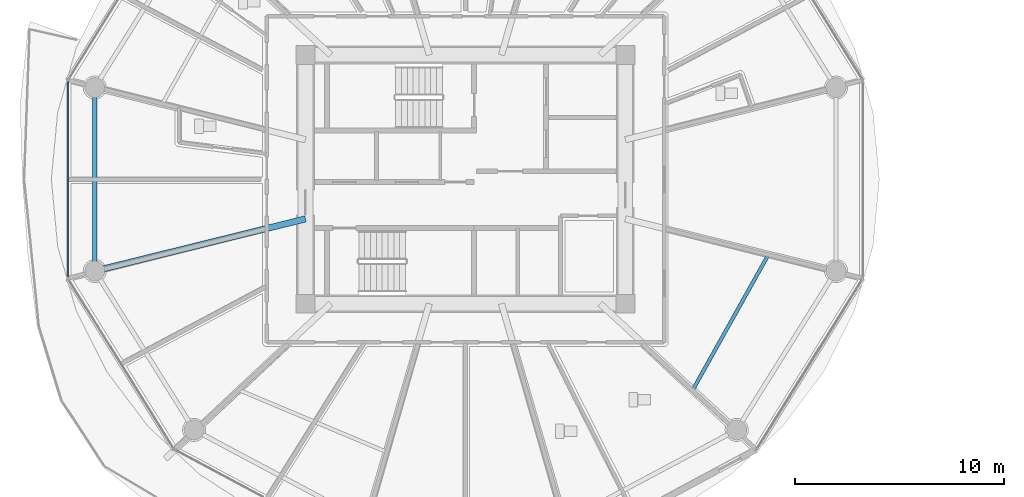
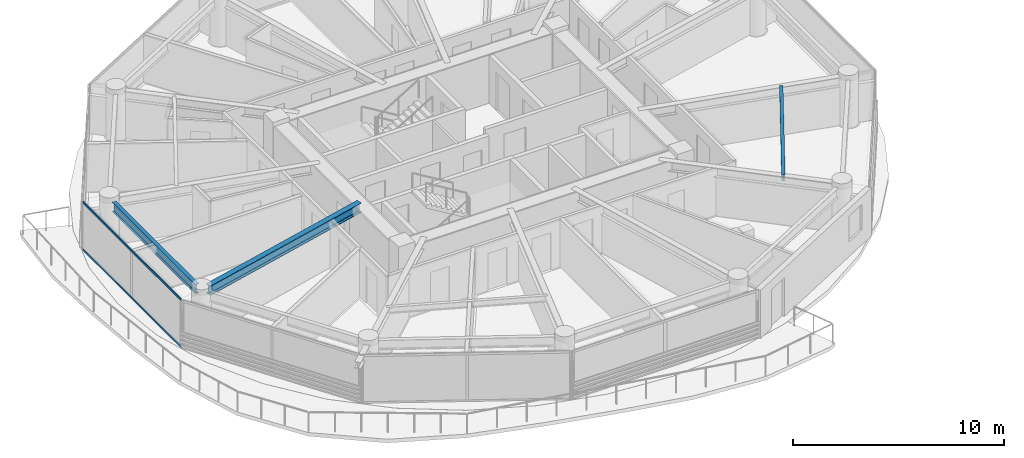
# One storey, part 3 of 31: 3 beams, 2 members, 1 element without a shape of its own.
"""IFC4 building model written with IfcOpenShell, lengths in metres."""

from ifc_helpers import new_model, si_unit, direction, frame, origin, origin_2d, place, context, subcontext, project, spatial, rectangle, i_section, extrude, source, transform, mapped, material, layer, layer_set, material_profile, profile_set, type_object, type_shapes, element, aggregate, save


model = new_model("IFC4")

# Units and contexts
model_context = context("Model", 3, precision=1e-05, world=origin(), true_north=direction((0.0, 1.0)))
body_context = subcontext(model_context, "Body", "Model", "MODEL_VIEW")
ifc_project = project(units=[si_unit("LENGTHUNIT", "METRE"), si_unit("AREAUNIT", "SQUARE_METRE"), si_unit("VOLUMEUNIT", "CUBIC_METRE"), si_unit("PLANEANGLEUNIT", "RADIAN"), si_unit("MASSUNIT", "GRAM", prefix="KILO")], contexts=[model_context])

# Site, building, storey
site_placement = place(None, origin())
site = spatial("IfcSite", under=ifc_project, at=site_placement, CompositionType="ELEMENT")
building_placement = place(site_placement, origin())
building = spatial("IfcBuilding", under=site, at=building_placement, Name="Norrkilde Senior Care Towers", CompositionType="ELEMENT")
storey_placement = place(building_placement, frame((0.0, 0.0, 42.949951171875)))
storey = spatial("IfcBuildingStorey", under=building, at=storey_placement, Name="L12", CompositionType="ELEMENT", Elevation=42.949951171875)

# Beams
ifc_material_1 = material(Name="Steel S355", Category="steel")
ifc_material_profile_1 = material_profile(ifc_material_1, i_section(OverallWidth=0.300048828125, OverallDepth=0.550048828125, WebThickness=0.014892578125, FlangeThickness=0.029052734375, FilletRadius=0.027099609375, at=origin_2d()), Name="HEB 550")
ifc_profile_set_1 = profile_set([ifc_material_profile_1], Name="Steel S355")
beam_type_1 = type_object("IfcBeamType", Name="Radial Floor Beam Z1 HEB550", PredefinedType="BEAM", material=ifc_profile_set_1)
shared_shape_1 = source(origin(), body_context, "Body", "SweptSolid", [
    extrude(i_section(OverallWidth=0.300048828125, OverallDepth=0.550048828125, WebThickness=0.014892578125, FlangeThickness=0.029052734375, FilletRadius=0.027099609375, at=origin_2d()), origin(), (0.0, 0.0, 1.0), 9.94384765625),
])
type_shapes(beam_type_1, [shared_shape_1])
beam_1_placement = place(storey_placement, frame((-35.64990234375, -1.893310546875, 2.51513671875), z_axis=(-0.970707425182, -0.240264634718, 0.0), x_axis=(0.240264634718, -0.970707425182, 0.0)))
element("IfcBeam", 1, at=beam_1_placement, inside=storey, type_object=beam_type_1, Name="L12 Drum W Radial Floor Beam 07", PredefinedType="BEAM", context=body_context, shape_type="MappedRepresentation", body=[
    mapped(shared_shape_1, transform((0.0, 0.0, 0.0), x_axis=(1.0, 0.0, 0.0), y_axis=(0.0, 1.0, 0.0), z_axis=(0.0, 0.0, 1.0), scale=1.0)),
])
ifc_material_profile_2 = material_profile(ifc_material_1, i_section(OverallWidth=0.2099609375, OverallDepth=0.550048828125, WebThickness=0.010986328125, FlangeThickness=0.01708984375, FilletRadius=0.02392578125, at=origin_2d()), Name="IPE 550")
ifc_profile_set_2 = profile_set([ifc_material_profile_2], Name="Steel S355")
beam_type_2 = type_object("IfcBeamType", Name="Perimeter Ring Spandrel Z1 IPE550", PredefinedType="SPANDREL", material=ifc_profile_set_2)
shared_shape_2 = source(origin(), body_context, "Body", "SweptSolid", [
    extrude(i_section(OverallWidth=0.2099609375, OverallDepth=0.550048828125, WebThickness=0.010986328125, FlangeThickness=0.01708984375, FilletRadius=0.02392578125, at=origin_2d()), origin(), (0.0, 0.0, 1.0), 7.90380859375),
])
type_shapes(beam_type_2, [shared_shape_2])
beam_2_placement = place(storey_placement, frame((-45.724853515625, 3.951904296875, 2.51513671875), z_axis=(0.0, -1.0, 0.0), x_axis=(1.0, 0.0, 0.0)))
element("IfcBeam", 2, at=beam_2_placement, inside=storey, type_object=beam_type_2, Name="L12 Drum W Perimeter Spandrel 06", PredefinedType="SPANDREL", context=body_context, shape_type="MappedRepresentation", body=[
    mapped(shared_shape_2, transform((0.0, 0.0, 0.0), x_axis=(1.0, 0.0, 0.0), y_axis=(0.0, 1.0, 0.0), z_axis=(0.0, 0.0, 1.0), scale=1.0)),
])
ifc_material_profile_3 = material_profile(ifc_material_1, i_section(OverallWidth=0.169921875, OverallDepth=0.360107421875, WebThickness=0.008056640625, FlangeThickness=0.0126953125, FilletRadius=0.01806640625, at=origin_2d()), Name="IPE 360")
ifc_profile_set_3 = profile_set([ifc_material_profile_3], Name="Steel S355")
beam_type_3 = type_object("IfcBeamType", Name="Secondary Floor Joist IPE360", PredefinedType="JOIST", material=ifc_profile_set_3)
shared_shape_3 = source(origin(), body_context, "Body", "SweptSolid", [
    extrude(i_section(OverallWidth=0.169921875, OverallDepth=0.360107421875, WebThickness=0.008056640625, FlangeThickness=0.0126953125, FilletRadius=0.01806640625, at=origin_2d()), origin(), (0.0, 0.0, 1.0), 7.40771484375),
])
type_shapes(beam_type_3, [shared_shape_3])
beam_3_placement = place(storey_placement, frame((-17.115478515625, -10.05419921875, 2.610107421875), z_axis=(0.488167754092, 0.872749817453, 0.0), x_axis=(-0.872749817453, 0.488167754092, 0.0)))
element("IfcBeam", 3, at=beam_3_placement, inside=storey, type_object=beam_type_3, Name="L12 Drum W Secondary Floor Joist 4", PredefinedType="JOIST", context=body_context, shape_type="MappedRepresentation", body=[
    mapped(shared_shape_3, transform((0.0, 0.0, 0.0), x_axis=(1.0, 0.0, 0.0), y_axis=(0.0, 1.0, 0.0), z_axis=(0.0, 0.0, 1.0), scale=1.0)),
])

# Curtain wall, members
ifc_material_2 = material(Name="Triple Low-E Insulated Glazing", Category="glass")
ifc_layer = layer(ifc_material_2, 0.199951171875)
ifc_layer_set = layer_set([ifc_layer], Name="Triple Low-E Insulated Glazing")
curtain_wall_type = type_object("IfcCurtainWallType", Name="CW2 Zone 1 Memory Care Curtain Wall", PredefinedType="NOTDEFINED", material=ifc_layer_set)
curtain_wall_placement = place(storey_placement, origin())
curtain_wall = element("IfcCurtainWall", 4, at=curtain_wall_placement, inside=storey, type_object=curtain_wall_type, Name="L12 Drum W Curtain Wall 05", PredefinedType="NOTDEFINED")
ifc_material_3 = material(Name="Anodised Aluminium", Category="aluminium")
ifc_material_profile_4 = material_profile(ifc_material_3, rectangle(XDim=0.06005859375, YDim=0.1201171875, at=origin_2d()), Name="ALU TRAN 60x120")
ifc_profile_set_4 = profile_set([ifc_material_profile_4], Name="Anodised Aluminium")
member_type = type_object("IfcMemberType", Name="Curtain Wall Transom Typical 60x120", PredefinedType="USERDEFINED", material=ifc_profile_set_4)
shared_shape_4 = source(origin(), body_context, "Body", "SweptSolid", [
    extrude(rectangle(XDim=0.06005859375, YDim=0.1201171875, at=origin_2d()), origin(), (0.0, 0.0, 1.0), 9.33251953125),
])
type_shapes(member_type, [shared_shape_4])
member_1_placement = place(storey_placement, frame((-47.009521484375, -4.666259765625, 0.030029296875), z_axis=(0.0, 1.0, 0.0), x_axis=(-1.0, 0.0, 0.0)))
member_1 = element("IfcMember", 5, at=member_1_placement, type_object=member_type, Name="CW-2 transom 1.1", ObjectType="TRANSOM", PredefinedType="USERDEFINED", context=body_context, shape_type="MappedRepresentation", body=[
    mapped(shared_shape_4, transform((0.0, 0.0, 0.0), x_axis=(1.0, 0.0, 0.0), y_axis=(0.0, 1.0, 0.0), z_axis=(0.0, 0.0, 1.0), scale=1.0)),
])
member_2_placement = place(storey_placement, frame((-47.009521484375, -4.666259765625, 2.760009765625), z_axis=(0.0, 1.0, 0.0), x_axis=(-1.0, 0.0, 0.0)))
member_2 = element("IfcMember", 6, at=member_2_placement, type_object=member_type, Name="CW-2 transom 1.2", ObjectType="TRANSOM", PredefinedType="USERDEFINED", context=body_context, shape_type="MappedRepresentation", body=[
    mapped(shared_shape_4, transform((0.0, 0.0, 0.0), x_axis=(1.0, 0.0, 0.0), y_axis=(0.0, 1.0, 0.0), z_axis=(0.0, 0.0, 1.0), scale=1.0)),
])
aggregate(curtain_wall, [member_1, member_2])

save(model, "model.ifc")
